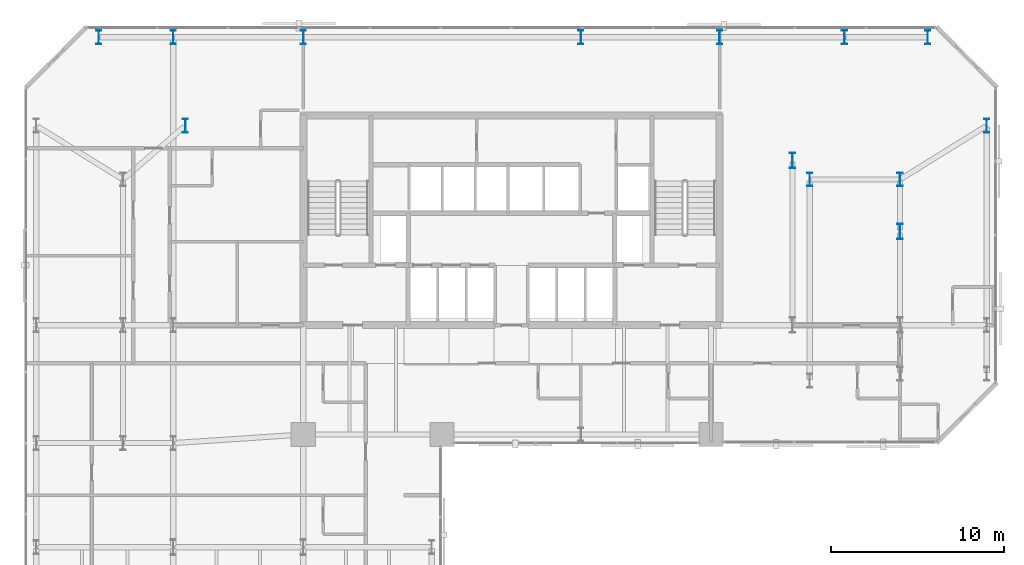
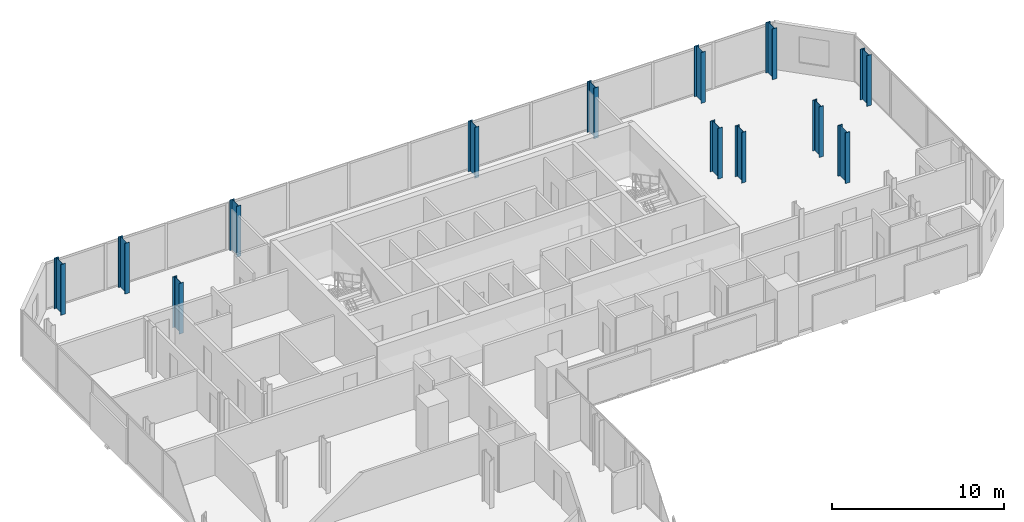
# One storey, part 2 of 33: 13 columns.
"""IFC4 building model written with IfcOpenShell, lengths in metres."""

from ifc_helpers import new_model, si_unit, direction, frame, origin, origin_2d, place, context, subcontext, project, spatial, i_section, extrude, material, material_profile, profile_set, type_object, element, save


model = new_model("IFC4")

# Units and contexts
model_context = context("Model", 3, precision=1e-05, world=origin(), true_north=direction((0.0, 1.0)))
body_context = subcontext(model_context, "Body", "Model", "MODEL_VIEW")
ifc_project = project(units=[si_unit("LENGTHUNIT", "METRE"), si_unit("AREAUNIT", "SQUARE_METRE"), si_unit("VOLUMEUNIT", "CUBIC_METRE"), si_unit("PLANEANGLEUNIT", "RADIAN"), si_unit("MASSUNIT", "GRAM", prefix="KILO")], contexts=[model_context])

# Site, building, storey
site_placement = place(None, origin())
site = spatial("IfcSite", under=ifc_project, at=site_placement, CompositionType="ELEMENT")
building_placement = place(site_placement, origin())
building = spatial("IfcBuilding", under=site, at=building_placement, Name="Catumbela Crestline Tower", CompositionType="ELEMENT")
storey_placement = place(building_placement, frame((0.0, 0.0, 51.0)))
storey = spatial("IfcBuildingStorey", under=building, at=storey_placement, Name="L12", CompositionType="ELEMENT", Elevation=51.0)

# Columns
ifc_material = material(Name="Structural steel S460M", Category="steel")
ifc_material_profile_1 = material_profile(ifc_material, i_section(OverallWidth=0.3, OverallDepth=0.8, WebThickness=0.0175, FlangeThickness=0.033, FilletRadius=0.03, at=origin_2d()), Name="HEB 800")
ifc_profile_set_1 = profile_set([ifc_material_profile_1], Name="Structural steel S460M")
column_type_1 = type_object("IfcColumnType", Name="C-ST-HEB800", PredefinedType="COLUMN", material=ifc_profile_set_1)
for number, where, z_axis, x_axis, name in (
    (1, (9.2, 42.3, 0.0), (0.0, 0.0, 1.0), (1.0, 0.0, 0.0), "L12 Column C-08-43 (HEB 800)"),
    (2, (45.2, 39.2, 0.0), (0.0, 0.0, 1.0), (1.0, 0.0, 0.0), "L12 Column C-46-43 (HEB 800)"),
    (3, (4.2, 47.4, 0.0), (0.0, 0.0, 1.0), (1.0, 0.0, 0.0), "L12 Column C-00-48 (HEB 800)"),
    (4, (8.5, 47.4, 0.0), (0.0, 0.0, 1.0), (1.0, 0.0, 0.0), "L12 Column C-08-48 (HEB 800)"),
    (5, (16.0, 47.4, 0.0), (0.0, 0.0, 1.0), (1.0, 0.0, 0.0), "L12 Column C-16-48 (HEB 800)"),
    (6, (32.0, 47.4, 0.0), (0.0, 0.0, 1.0), (1.0, 0.0, 0.0), "L12 Column C-32-48 (HEB 800)"),
    (7, (40.0, 47.4, 0.0), (0.0, 0.0, 1.0), (1.0, 0.0, 0.0), "L12 Column C-40-48 (HEB 800)"),
    (8, (47.2, 47.4, 0.0), (0.0, 0.0, 1.0), (1.0, 0.0, 0.0), "L12 Column C-48-48 (HEB 800)"),
    (9, (50.4, 39.2, 0.0), (0.0, 0.0, 1.0), (1.0, 0.0, 0.0), "L12 Column C-51-43 (HEB 800)"),
    (10, (55.4, 42.3, 0.0), (0.0, 0.0, 1.0), (1.0, 0.0, 0.0), "L12 Column C-56-43 (HEB 800)"),
    (11, (52.0, 47.4, 0.0), (0.0, 0.0, 1.0), (1.0, 0.0, 0.0), "L12 Column C-56-48 (HEB 800)"),
):
    element("IfcColumn", number, at=place(storey_placement, frame(where, z_axis=z_axis, x_axis=x_axis)), inside=storey, type_object=column_type_1, Name=name, PredefinedType="COLUMN", context=body_context, shape_type="SweptSolid", body=[
        extrude(i_section(OverallWidth=0.3, OverallDepth=0.8, WebThickness=0.0175, FlangeThickness=0.033, FilletRadius=0.03, at=origin_2d()), origin(), (0.0, 0.0, 1.0), 3.6),
    ])
ifc_material_profile_2 = material_profile(ifc_material, i_section(OverallWidth=0.3, OverallDepth=0.9, WebThickness=0.0185, FlangeThickness=0.035, FilletRadius=0.03, at=origin_2d()), Name="HEB 900")
ifc_profile_set_2 = profile_set([ifc_material_profile_2], Name="Structural steel S460M")
column_type_2 = type_object("IfcColumnType", Name="C-ST-HEB900", PredefinedType="COLUMN", material=ifc_profile_set_2)
for number, where, z_axis, x_axis, name in (
    (12, (44.2, 40.3, 0.0), (0.0, 0.0, 1.0), (1.0, 0.0, 0.0), "L12 Column CT-46-37 (HEB 900)"),
    (13, (50.4, 36.2, 0.0), (0.0, 0.0, 1.0), (1.0, 0.0, 0.0), "L12 Column CT-51-37 (HEB 900)"),
):
    element("IfcColumn", number, at=place(storey_placement, frame(where, z_axis=z_axis, x_axis=x_axis)), inside=storey, type_object=column_type_2, Name=name, PredefinedType="COLUMN", context=body_context, shape_type="SweptSolid", body=[
        extrude(i_section(OverallWidth=0.3, OverallDepth=0.9, WebThickness=0.0185, FlangeThickness=0.035, FilletRadius=0.03, at=origin_2d()), origin(), (0.0, 0.0, 1.0), 3.6),
    ])

save(model, "model.ifc")
